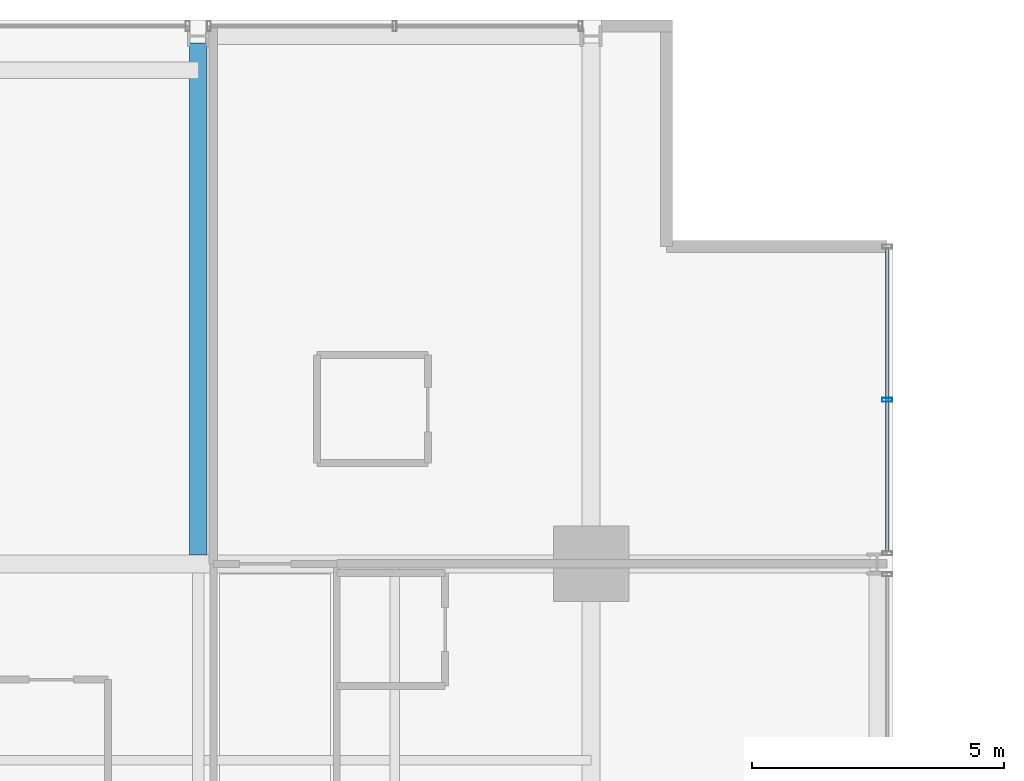
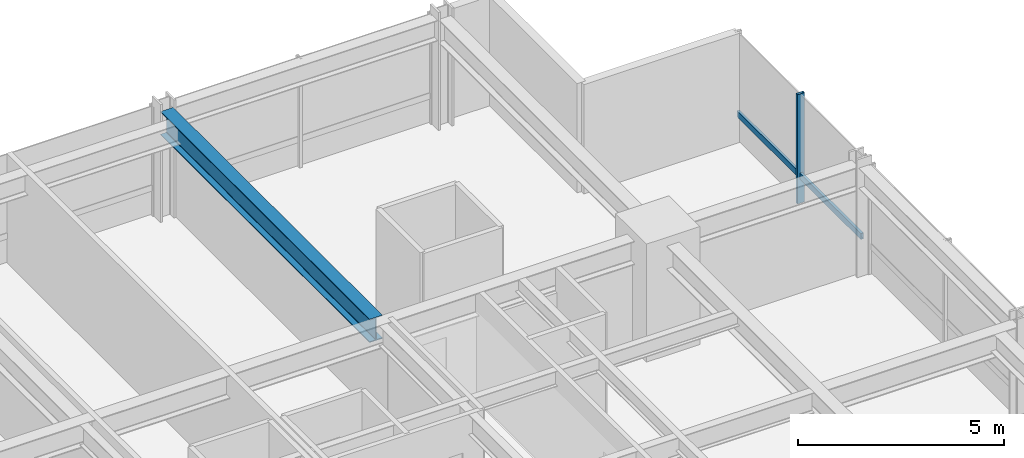
# One storey, part 24 of 34: 2 members, 1 beam, 1 element without a shape of its own.
"""IFC4 building model written with IfcOpenShell, lengths in metres."""

from ifc_helpers import new_model, si_unit, direction, frame, origin, origin_2d, place, context, subcontext, project, spatial, hollow_rectangle, i_section, extrude, material, layer, layer_set, material_profile, profile_set, type_object, element, aggregate, save


model = new_model("IFC4")

# Units and contexts
model_context = context("Model", 3, precision=1e-05, world=origin(), true_north=direction((0.0, 1.0)))
body_context = subcontext(model_context, "Body", "Model", "MODEL_VIEW")
ifc_project = project(units=[si_unit("LENGTHUNIT", "METRE"), si_unit("AREAUNIT", "SQUARE_METRE"), si_unit("VOLUMEUNIT", "CUBIC_METRE"), si_unit("PLANEANGLEUNIT", "RADIAN"), si_unit("MASSUNIT", "GRAM", prefix="KILO")], contexts=[model_context])

# Site, building, storey
site_placement = place(None, origin())
site = spatial("IfcSite", under=ifc_project, at=site_placement, CompositionType="ELEMENT")
building_placement = place(site_placement, origin())
building = spatial("IfcBuilding", under=site, at=building_placement, Name="Drelvath Grand Hotel", CompositionType="ELEMENT")
storey_placement = place(building_placement, frame((0.0, 0.0, 133.800048828125)))
storey = spatial("IfcBuildingStorey", under=building, at=storey_placement, Name="L34", CompositionType="ELEMENT", Elevation=133.800048828125)

# Curtain wall, members
ifc_material_1 = material(Name="Champagne Bronze Anodised Aluminium Frame", Category="aluminium")
ifc_layer = layer(ifc_material_1, 0.199951171875)
ifc_layer_set = layer_set([ifc_layer], Name="Champagne Bronze Anodised Aluminium Frame")
curtain_wall_type = type_object("IfcCurtainWallType", Name="Stick Curtain Wall CW-03 Champagne Bronze Mid-Rise", PredefinedType="NOTDEFINED", material=ifc_layer_set)
curtain_wall_placement = place(storey_placement, origin())
curtain_wall = element("IfcCurtainWall", 1, at=curtain_wall_placement, inside=storey, type_object=curtain_wall_type, Name="L34 CW-03 Curtain Wall CW03-L34-EN3", PredefinedType="NOTDEFINED")
ifc_material_profile_1 = material_profile(ifc_material_1, hollow_rectangle(XDim=0.074951171875, YDim=0.179931640625, WallThickness=0.0048828125, at=origin_2d()), Name="HSS180X75X5")
ifc_profile_set_1 = profile_set([ifc_material_profile_1], Name="Champagne Bronze Anodised Aluminium Frame")
member_type_1 = type_object("IfcMemberType", Name="Curtain Wall Horizontal Transom CW-03 HSS180X75X5", PredefinedType="USERDEFINED", material=ifc_profile_set_1)
member_1_placement = place(storey_placement, frame((22.080078125, 49.4599609375, 0.81005859375), z_axis=(0.0, -1.0, 0.0), x_axis=(1.0, 0.0, 0.0)))
member_1 = element("IfcMember", 2, at=member_1_placement, type_object=member_type_1, Name="CW03-L34-EN3 Sill Transom", ObjectType="TRANSOM", PredefinedType="USERDEFINED", context=body_context, shape_type="SweptSolid", body=[
    extrude(hollow_rectangle(XDim=0.074951171875, YDim=0.179931640625, WallThickness=0.0048828125, at=origin_2d()), origin(), (0.0, 0.0, 1.0), 6.010498046875),
])
ifc_material_profile_2 = material_profile(ifc_material_1, hollow_rectangle(XDim=0.080078125, YDim=0.199951171875, WallThickness=0.0048828125, at=origin_2d()), Name="HSS200X80X5")
ifc_profile_set_2 = profile_set([ifc_material_profile_2], Name="Champagne Bronze Anodised Aluminium Frame")
member_type_2 = type_object("IfcMemberType", Name="Curtain Wall Vertical Mullion CW-03 HSS200X80X5", PredefinedType="MULLION", material=ifc_profile_set_2)
member_2_placement = place(storey_placement, frame((22.080078125, 46.45458984375, 0.0), z_axis=(0.0, 0.0, 1.0), x_axis=(0.0, 1.0, 0.0)))
member_2 = element("IfcMember", 3, at=member_2_placement, type_object=member_type_2, Name="CW03-L34-EN3 Mullion 2", PredefinedType="MULLION", context=body_context, shape_type="SweptSolid", body=[
    extrude(hollow_rectangle(XDim=0.080078125, YDim=0.199951171875, WallThickness=0.0048828125, at=origin_2d()), origin(), (0.0, 0.0, 1.0), 3.239990234375),
])
aggregate(curtain_wall, [member_2, member_1])

# Beam
ifc_material_2 = material(Name="Steel ASTM A992 Gr 50", Category="steel")
ifc_material_profile_3 = material_profile(ifc_material_2, i_section(OverallWidth=0.354736328125, OverallDepth=0.695556640625, WebThickness=0.015380859375, FlangeThickness=0.025146484375, FilletRadius=0.02392578125, at=origin_2d()), Name="W27X146")
ifc_profile_set_3 = profile_set([ifc_material_profile_3], Name="Steel ASTM A992 Gr 50")
beam_type = type_object("IfcBeamType", Name="Primary Floor Girder W27X146", PredefinedType="BEAM", material=ifc_profile_set_3)
beam_placement = place(storey_placement, frame((8.39990234375, 43.37744140625, 2.892333984375), z_axis=(0.0, 1.0, 0.0), x_axis=(-1.0, 0.0, 0.0)))
element("IfcBeam", 4, at=beam_placement, inside=storey, type_object=beam_type, Name="L34 North Wing Girder 6", PredefinedType="BEAM", context=body_context, shape_type="SweptSolid", body=[
    extrude(i_section(OverallWidth=0.354736328125, OverallDepth=0.695556640625, WebThickness=0.015380859375, FlangeThickness=0.025146484375, FilletRadius=0.02392578125, at=origin_2d()), origin(), (0.0, 0.0, 1.0), 10.16259765625),
])

save(model, "model.ifc")
